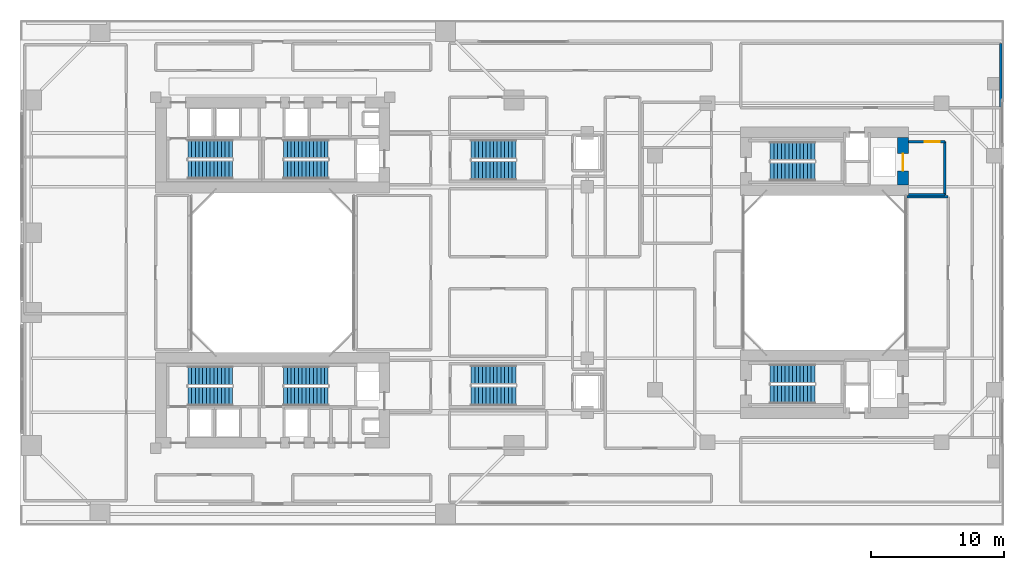
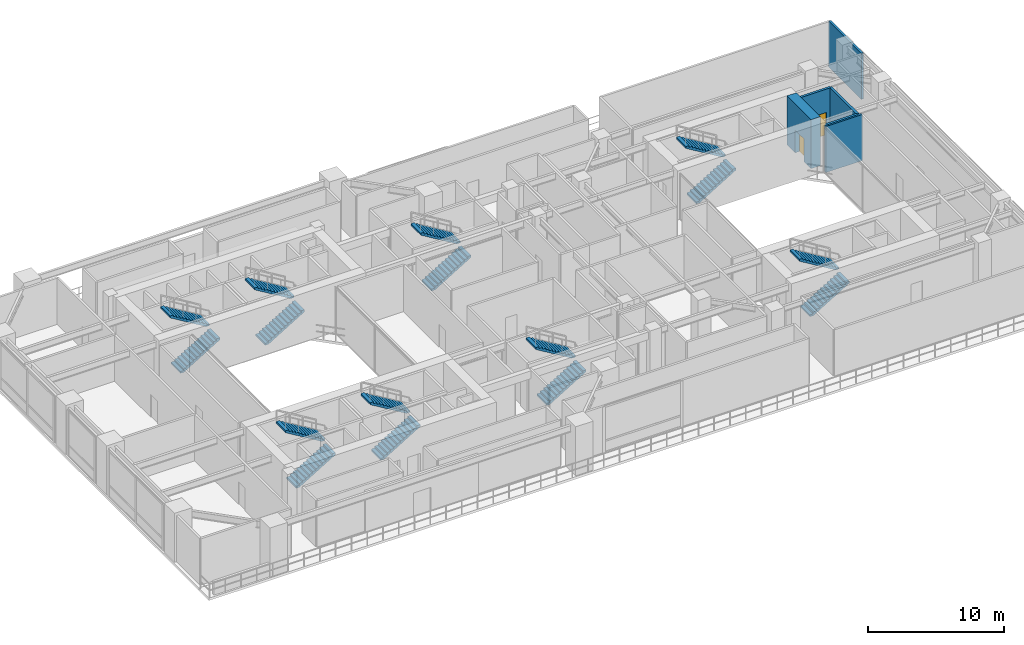
# One storey, part 16 of 20: 16 stair flights, 6 walls, 2 doors, 2 openings, 8 elements without a shape of their own.
"""IFC4 building model written with IfcOpenShell, lengths in metres."""

from ifc_helpers import new_model, si_unit, direction, frame, frame_2d, origin, place, context, subcontext, project, spatial, polyline, rectangle, outline, extrude, source, transform, mapped, material, layer, layer_set, type_object, element, fill, aggregate, save


model = new_model("IFC4")

# Units and contexts
model_context = context("Model", 3, precision=1e-05, world=origin(), true_north=direction((0.0, 1.0)))
body_context = subcontext(model_context, "Body", "Model", "MODEL_VIEW")
ifc_project = project(units=[si_unit("LENGTHUNIT", "METRE"), si_unit("AREAUNIT", "SQUARE_METRE"), si_unit("VOLUMEUNIT", "CUBIC_METRE"), si_unit("PLANEANGLEUNIT", "RADIAN"), si_unit("MASSUNIT", "GRAM", prefix="KILO"), si_unit("THERMODYNAMICTEMPERATUREUNIT", "KELVIN"), si_unit("POWERUNIT", "WATT")], contexts=[model_context])

# Site, building, storey
site_placement = place(None, origin())
site = spatial("IfcSite", under=ifc_project, at=site_placement, CompositionType="ELEMENT")
building_placement = place(site_placement, origin())
building = spatial("IfcBuilding", under=site, at=building_placement, Name="Qiaomeng Ring Towers", CompositionType="ELEMENT")
storey_placement = place(building_placement, frame((0.0, 0.0, 13.800048828125)))
storey = spatial("IfcBuildingStorey", under=building, at=storey_placement, Name="L03", CompositionType="ELEMENT", Elevation=13.800048828125)

# Walls
ifc_material_1 = material(Name="Autoclaved aerated concrete block", Category="concrete")
ifc_layer_1 = layer(ifc_material_1, 0.199951171875, Name="Autoclaved aerated concrete block")
ifc_layer_set_1 = layer_set([ifc_layer_1], Name="Autoclaved aerated concrete block")
wall_type_1 = type_object("IfcWallType", Name="ARC-WL-PW1", PredefinedType="PARTITIONING", material=ifc_layer_set_1)
wall_1_placement = place(storey_placement, frame((66.800048828125, 28.85009765625, 0.0), z_axis=(0.0, 0.0, 1.0), x_axis=(1.0, 0.0, 0.0)))
element("IfcWall", 1, at=wall_1_placement, inside=storey, type_object=wall_type_1, Name="L03 Interior Wall PW1", PredefinedType="PARTITIONING", context=body_context, shape_type="SweptSolid", body=[
    extrude(rectangle(XDim=2.75, YDim=0.199951171875, at=frame_2d((1.375, 0.0))), origin(), (0.0, 0.0, 1.0), 4.14990234375),
])
wall_2_placement = place(storey_placement, frame((69.550048828125, 28.85009765625, 0.0), z_axis=(0.0, 0.0, 1.0), x_axis=(0.0, 1.0, 0.0)))
element("IfcWall", 2, at=wall_2_placement, inside=storey, type_object=wall_type_1, Name="L03 Interior Wall PW1", PredefinedType="PARTITIONING", context=body_context, shape_type="SweptSolid", body=[
    extrude(rectangle(XDim=4.0, YDim=0.199951171875, at=frame_2d((2.0, 0.0))), origin(), (0.0, 0.0, 1.0), 4.14990234375),
])

# Wall, opening, door
wall_3_placement = place(storey_placement, frame((66.800048828125, 32.85009765625, 0.0), z_axis=(0.0, 0.0, 1.0), x_axis=(1.0, 0.0, 0.0)))
wall_3 = element("IfcWall", 3, at=wall_3_placement, inside=storey, type_object=wall_type_1, Name="L03 Interior Wall PW1", PredefinedType="PARTITIONING", context=body_context, shape_type="SweptSolid", body=[
    extrude(rectangle(XDim=2.75, YDim=0.199951171875, at=frame_2d((1.375, 0.0))), origin(), (0.0, 0.0, 1.0), 4.14990234375),
])
opening_1_placement = place(wall_3_placement, frame((1.25, 0.0, 0.0)))
opening_1 = element("IfcOpeningElement", 4, at=opening_1_placement, cuts=wall_3, Name="Opening FD3", PredefinedType="OPENING", context=body_context, shape_type="SweptSolid", body=[
    extrude(rectangle(XDim=1.10009765625, YDim=2.050048828125, at=frame_2d((0.550048828125, 1.02490234375))), frame((0.0, 0.10986328125, 0.0), z_axis=(0.0, -1.0, 0.0), x_axis=(1.0, 0.0, 0.0)), (0.0, 0.0, 1.0), 0.219970703125),
])
ifc_material_2 = material(Name="Galvanised steel", Category="steel")
door_type_1 = type_object("IfcDoorType", Name="ARC-DR-FD3", OperationType="NOTDEFINED", PredefinedType="DOOR", material=ifc_material_2)
shared_shape_1 = source(origin(), body_context, "Body", "SweptSolid", [
    extrude(rectangle(XDim=1.10009765625, YDim=2.050048828125, at=frame_2d((0.550048828125, 1.02490234375))), frame((0.0, 0.02490234375, 0.0), z_axis=(0.0, -1.0, 0.0), x_axis=(1.0, 0.0, 0.0)), (0.0, 0.0, 1.0), 0.050048828125),
])
door_1_placement = place(opening_1_placement, origin())
door_1 = element("IfcDoor", 5, at=door_1_placement, inside=storey, type_object=door_type_1, Name="L03 Door FD3", OperationType="SINGLE_SWING_RIGHT", OverallHeight=2.050048828125, OverallWidth=1.10009765625, PredefinedType="DOOR", context=body_context, shape_type="MappedRepresentation", body=[
    mapped(shared_shape_1, transform((0.0, 0.0, 0.0), x_axis=(1.0, 0.0, 0.0), y_axis=(0.0, 1.0, 0.0), z_axis=(0.0, 0.0, 1.0), scale=1.0)),
])
fill(opening_1, door_1)

# Walls
ifc_layer_2 = layer(ifc_material_1, 0.179931640625, Name="Autoclaved aerated concrete block")
ifc_layer_set_2 = layer_set([ifc_layer_2], Name="Autoclaved aerated concrete block")
wall_type_2 = type_object("IfcWallType", Name="ARC-WL-PW2", PredefinedType="PARTITIONING", material=ifc_layer_set_2)
wall_4_placement = place(storey_placement, frame((66.699951171875, 28.699951171875, 0.0), z_axis=(0.0, 0.0, 1.0), x_axis=(1.0, 0.0, 0.0)))
element("IfcWall", 6, at=wall_4_placement, inside=storey, type_object=wall_type_2, Name="L03 Interior Wall PW2", PredefinedType="PARTITIONING", context=body_context, shape_type="SweptSolid", body=[
    extrude(rectangle(XDim=3.10009765625, YDim=0.179931640625, at=frame_2d((1.550048828125, 0.0))), origin(), (0.0, 0.0, 1.0), 4.14990234375),
])
wall_5_placement = place(storey_placement, frame((73.75, 35.449951171875, 0.0), z_axis=(0.0, 0.0, 1.0), x_axis=(0.0, 1.0, 0.0)))
element("IfcWall", 7, at=wall_5_placement, inside=storey, type_object=wall_type_2, Name="L03 Interior Wall PW2", PredefinedType="PARTITIONING", context=body_context, shape_type="SweptSolid", body=[
    extrude(rectangle(XDim=4.800048828125, YDim=0.179931640625, at=frame_2d((2.39990234375, 0.0))), origin(), (0.0, 0.0, 1.0), 4.14990234375),
])

# Wall, opening, door
ifc_material_3 = material(Name="Concrete C60", Category="concrete")
ifc_layer_3 = layer(ifc_material_3, 0.800048828125, Name="Concrete C60")
ifc_layer_set_3 = layer_set([ifc_layer_3], Name="Concrete C60")
wall_type_3 = type_object("IfcWallType", Name="STR-WL-SW1", PredefinedType="SHEAR", material=ifc_layer_set_3)
wall_6_placement = place(storey_placement, frame((66.39990234375, 29.60009765625, 0.0), z_axis=(0.0, 0.0, 1.0), x_axis=(0.0, 1.0, 0.0)))
wall_6 = element("IfcWall", 8, at=wall_6_placement, inside=storey, type_object=wall_type_3, Name="L03 T2NC east core shear wall", PredefinedType="SHEAR", context=body_context, shape_type="SweptSolid", body=[
    extrude(rectangle(XDim=3.5498046875, YDim=0.800048828125, at=frame_2d((1.77490234375, 0.0))), origin(), (0.0, 0.0, 1.0), 4.39990234375),
])
opening_2_placement = place(wall_6_placement, frame((1.050048828125, 0.0, 0.0)))
opening_2 = element("IfcOpeningElement", 9, at=opening_2_placement, cuts=wall_6, Name="Opening LD2", PredefinedType="OPENING", context=body_context, shape_type="SweptSolid", body=[
    extrude(rectangle(XDim=1.300048828125, YDim=2.050048828125, at=frame_2d((0.64990234375, 1.02490234375))), frame((0.0, 0.409912109375, 0.0), z_axis=(0.0, -1.0, 0.0), x_axis=(1.0, 0.0, 0.0)), (0.0, 0.0, 1.0), 0.820068359375),
])
ifc_material_4 = material(Name="Stainless steel 316", Category="steel")
door_type_2 = type_object("IfcDoorType", Name="ARC-DR-LD2", OperationType="NOTDEFINED", PredefinedType="DOOR", material=ifc_material_4)
shared_shape_2 = source(origin(), body_context, "Body", "SweptSolid", [
    extrude(rectangle(XDim=1.300048828125, YDim=2.050048828125, at=frame_2d((0.64990234375, 1.02490234375))), frame((0.0, 0.02490234375, 0.0), z_axis=(0.0, -1.0, 0.0), x_axis=(1.0, 0.0, 0.0)), (0.0, 0.0, 1.0), 0.050048828125),
])
door_2_placement = place(opening_2_placement, origin())
door_2 = element("IfcDoor", 10, at=door_2_placement, inside=storey, type_object=door_type_2, Name="L03 Firefighting Lift FL3 Landing Door", OperationType="SLIDING_TO_LEFT", OverallHeight=2.050048828125, OverallWidth=1.300048828125, PredefinedType="DOOR", context=body_context, shape_type="MappedRepresentation", body=[
    mapped(shared_shape_2, transform((0.0, 0.0, 0.0), x_axis=(1.0, 0.0, 0.0), y_axis=(0.0, 1.0, 0.0), z_axis=(0.0, 0.0, 1.0), scale=1.0)),
])
fill(opening_2, door_2)

# Stair, stair flights
ifc_material_5 = material(Name="Precast concrete C40", Category="concrete")
stair_type_1 = type_object("IfcStairType", Name="ARC-ST-440", PredefinedType="HALF_TURN_STAIR", material=ifc_material_5)
stair_1_placement = place(storey_placement, origin())
stair_1 = element("IfcStair", 11, at=stair_1_placement, inside=storey, type_object=stair_type_1, Name="L03 Tower 1 North Stair 1", PredefinedType="HALF_TURN_STAIR")
stair_flight_type_1 = type_object("IfcStairFlightType", Name="ARC-ST-440-FL", PredefinedType="STRAIGHT", material=ifc_material_5)
shared_shape_3 = source(origin(), body_context, "Body", "SweptSolid", [
    extrude(outline(polyline([(0.0, 0.0), (0.0, 0.169189453125), (0.280029296875, 0.169189453125), (0.280029296875, 0.33837890625), (0.56005859375, 0.33837890625), (0.56005859375, 0.5078125), (0.840087890625, 0.5078125), (0.840087890625, 0.677001953125), (1.1201171875, 0.677001953125), (1.1201171875, 0.84619140625), (1.39990234375, 0.84619140625), (1.39990234375, 1.015380859375), (1.679931640625, 1.015380859375), (1.679931640625, 1.1845703125), (1.9599609375, 1.1845703125), (1.9599609375, 1.353759765625), (2.239990234375, 1.353759765625), (2.239990234375, 1.523193359375), (2.52001953125, 1.523193359375), (2.52001953125, 1.6923828125), (2.800048828125, 1.6923828125), (2.800048828125, 1.861572265625), (3.080078125, 1.861572265625), (3.080078125, 2.03076171875), (3.360107421875, 2.03076171875), (3.360107421875, 2.199951171875), (3.360107421875, 1.855712890625), (0.289794921875, 0.0), (0.0, 0.0)])), frame((0.0, 0.699951171875, 0.0), z_axis=(0.0, -1.0, 0.0), x_axis=(1.0, 0.0, 0.0)), (0.0, 0.0, 1.0), 1.39990234375),
])
stair_flight_1_placement = place(storey_placement, frame((12.6201171875, 30.75, 0.0), z_axis=(0.0, 0.0, 1.0), x_axis=(1.0, 0.0, 0.0)))
stair_flight_1 = element("IfcStairFlight", 12, at=stair_flight_1_placement, type_object=stair_flight_type_1, Name="ST1 flight 1", NumberOfRisers=13, NumberOfTreads=12, PredefinedType="STRAIGHT", RiserHeight=0.169230769, TreadLength=0.28, context=body_context, shape_type="MappedRepresentation", body=[
    mapped(shared_shape_3, transform((0.0, 0.0, 0.0), x_axis=(1.0, 0.0, 0.0), y_axis=(0.0, 1.0, 0.0), z_axis=(0.0, 0.0, 1.0), scale=1.0)),
])
stair_flight_2_placement = place(storey_placement, frame((15.97998046875, 32.2900390625, 2.199951171875), z_axis=(0.0, 0.0, 1.0), x_axis=(-1.0, 0.0, 0.0)))
stair_flight_2 = element("IfcStairFlight", 13, at=stair_flight_2_placement, type_object=stair_flight_type_1, Name="ST1 flight 2", NumberOfRisers=13, NumberOfTreads=12, PredefinedType="STRAIGHT", RiserHeight=0.169230769, TreadLength=0.28, context=body_context, shape_type="MappedRepresentation", body=[
    mapped(shared_shape_3, transform((0.0, 0.0, 0.0), x_axis=(1.0, 0.0, 0.0), y_axis=(0.0, 1.0, 0.0), z_axis=(0.0, 0.0, 1.0), scale=1.0)),
])
aggregate(stair_1, [stair_flight_1, stair_flight_2])

stair_2_placement = place(storey_placement, origin())
stair_2 = element("IfcStair", 14, at=stair_2_placement, inside=storey, type_object=stair_type_1, Name="L03 Tower 1 North Stair 2", PredefinedType="HALF_TURN_STAIR")
stair_flight_3_placement = place(storey_placement, frame((19.820068359375, 30.75, 0.0), z_axis=(0.0, 0.0, 1.0), x_axis=(1.0, 0.0, 0.0)))
stair_flight_3 = element("IfcStairFlight", 15, at=stair_flight_3_placement, type_object=stair_flight_type_1, Name="ST2 flight 1", NumberOfRisers=13, NumberOfTreads=12, PredefinedType="STRAIGHT", RiserHeight=0.169230769, TreadLength=0.28, context=body_context, shape_type="MappedRepresentation", body=[
    mapped(shared_shape_3, transform((0.0, 0.0, 0.0), x_axis=(1.0, 0.0, 0.0), y_axis=(0.0, 1.0, 0.0), z_axis=(0.0, 0.0, 1.0), scale=1.0)),
])
stair_flight_4_placement = place(storey_placement, frame((23.179931640625, 32.2900390625, 2.199951171875), z_axis=(0.0, 0.0, 1.0), x_axis=(-1.0, 0.0, 0.0)))
stair_flight_4 = element("IfcStairFlight", 16, at=stair_flight_4_placement, type_object=stair_flight_type_1, Name="ST2 flight 2", NumberOfRisers=13, NumberOfTreads=12, PredefinedType="STRAIGHT", RiserHeight=0.169230769, TreadLength=0.28, context=body_context, shape_type="MappedRepresentation", body=[
    mapped(shared_shape_3, transform((0.0, 0.0, 0.0), x_axis=(1.0, 0.0, 0.0), y_axis=(0.0, 1.0, 0.0), z_axis=(0.0, 0.0, 1.0), scale=1.0)),
])
aggregate(stair_2, [stair_flight_3, stair_flight_4])

stair_3_placement = place(storey_placement, origin())
stair_3 = element("IfcStair", 17, at=stair_3_placement, inside=storey, type_object=stair_type_1, Name="L03 Tower 1 South Stair 3", PredefinedType="HALF_TURN_STAIR")
stair_flight_5_placement = place(storey_placement, frame((12.6201171875, 13.7099609375, 0.0), z_axis=(0.0, 0.0, 1.0), x_axis=(1.0, 0.0, 0.0)))
stair_flight_5 = element("IfcStairFlight", 18, at=stair_flight_5_placement, type_object=stair_flight_type_1, Name="ST3 flight 1", NumberOfRisers=13, NumberOfTreads=12, PredefinedType="STRAIGHT", RiserHeight=0.169230769, TreadLength=0.28, context=body_context, shape_type="MappedRepresentation", body=[
    mapped(shared_shape_3, transform((0.0, 0.0, 0.0), x_axis=(1.0, 0.0, 0.0), y_axis=(0.0, 1.0, 0.0), z_axis=(0.0, 0.0, 1.0), scale=1.0)),
])
stair_flight_6_placement = place(storey_placement, frame((15.97998046875, 15.25, 2.199951171875), z_axis=(0.0, 0.0, 1.0), x_axis=(-1.0, 0.0, 0.0)))
stair_flight_6 = element("IfcStairFlight", 19, at=stair_flight_6_placement, type_object=stair_flight_type_1, Name="ST3 flight 2", NumberOfRisers=13, NumberOfTreads=12, PredefinedType="STRAIGHT", RiserHeight=0.169230769, TreadLength=0.28, context=body_context, shape_type="MappedRepresentation", body=[
    mapped(shared_shape_3, transform((0.0, 0.0, 0.0), x_axis=(1.0, 0.0, 0.0), y_axis=(0.0, 1.0, 0.0), z_axis=(0.0, 0.0, 1.0), scale=1.0)),
])
aggregate(stair_3, [stair_flight_5, stair_flight_6])

stair_4_placement = place(storey_placement, origin())
stair_4 = element("IfcStair", 20, at=stair_4_placement, inside=storey, type_object=stair_type_1, Name="L03 Tower 1 South Stair 4", PredefinedType="HALF_TURN_STAIR")
stair_flight_7_placement = place(storey_placement, frame((19.820068359375, 13.7099609375, 0.0), z_axis=(0.0, 0.0, 1.0), x_axis=(1.0, 0.0, 0.0)))
stair_flight_7 = element("IfcStairFlight", 21, at=stair_flight_7_placement, type_object=stair_flight_type_1, Name="ST4 flight 1", NumberOfRisers=13, NumberOfTreads=12, PredefinedType="STRAIGHT", RiserHeight=0.169230769, TreadLength=0.28, context=body_context, shape_type="MappedRepresentation", body=[
    mapped(shared_shape_3, transform((0.0, 0.0, 0.0), x_axis=(1.0, 0.0, 0.0), y_axis=(0.0, 1.0, 0.0), z_axis=(0.0, 0.0, 1.0), scale=1.0)),
])
stair_flight_8_placement = place(storey_placement, frame((23.179931640625, 15.25, 2.199951171875), z_axis=(0.0, 0.0, 1.0), x_axis=(-1.0, 0.0, 0.0)))
stair_flight_8 = element("IfcStairFlight", 22, at=stair_flight_8_placement, type_object=stair_flight_type_1, Name="ST4 flight 2", NumberOfRisers=13, NumberOfTreads=12, PredefinedType="STRAIGHT", RiserHeight=0.169230769, TreadLength=0.28, context=body_context, shape_type="MappedRepresentation", body=[
    mapped(shared_shape_3, transform((0.0, 0.0, 0.0), x_axis=(1.0, 0.0, 0.0), y_axis=(0.0, 1.0, 0.0), z_axis=(0.0, 0.0, 1.0), scale=1.0)),
])
aggregate(stair_4, [stair_flight_7, stair_flight_8])

stair_5_placement = place(storey_placement, origin())
stair_5 = element("IfcStair", 23, at=stair_5_placement, inside=storey, type_object=stair_type_1, Name="L03 Companion North Stair 5", PredefinedType="HALF_TURN_STAIR")
stair_flight_9_placement = place(storey_placement, frame((56.419921875, 30.60009765625, 0.0), z_axis=(0.0, 0.0, 1.0), x_axis=(1.0, 0.0, 0.0)))
stair_flight_9 = element("IfcStairFlight", 24, at=stair_flight_9_placement, type_object=stair_flight_type_1, Name="ST5 flight 1", NumberOfRisers=13, NumberOfTreads=12, PredefinedType="STRAIGHT", RiserHeight=0.169230769, TreadLength=0.28, context=body_context, shape_type="MappedRepresentation", body=[
    mapped(shared_shape_3, transform((0.0, 0.0, 0.0), x_axis=(1.0, 0.0, 0.0), y_axis=(0.0, 1.0, 0.0), z_axis=(0.0, 0.0, 1.0), scale=1.0)),
])
stair_flight_10_placement = place(storey_placement, frame((59.780029296875, 32.139892578125, 2.199951171875), z_axis=(0.0, 0.0, 1.0), x_axis=(-1.0, 0.0, 0.0)))
stair_flight_10 = element("IfcStairFlight", 25, at=stair_flight_10_placement, type_object=stair_flight_type_1, Name="ST5 flight 2", NumberOfRisers=13, NumberOfTreads=12, PredefinedType="STRAIGHT", RiserHeight=0.169230769, TreadLength=0.28, context=body_context, shape_type="MappedRepresentation", body=[
    mapped(shared_shape_3, transform((0.0, 0.0, 0.0), x_axis=(1.0, 0.0, 0.0), y_axis=(0.0, 1.0, 0.0), z_axis=(0.0, 0.0, 1.0), scale=1.0)),
])
aggregate(stair_5, [stair_flight_9, stair_flight_10])

stair_6_placement = place(storey_placement, origin())
stair_6 = element("IfcStair", 26, at=stair_6_placement, inside=storey, type_object=stair_type_1, Name="L03 Companion South Stair 6", PredefinedType="HALF_TURN_STAIR")
stair_flight_11_placement = place(storey_placement, frame((56.419921875, 13.860107421875, 0.0), z_axis=(0.0, 0.0, 1.0), x_axis=(1.0, 0.0, 0.0)))
stair_flight_11 = element("IfcStairFlight", 27, at=stair_flight_11_placement, type_object=stair_flight_type_1, Name="ST6 flight 1", NumberOfRisers=13, NumberOfTreads=12, PredefinedType="STRAIGHT", RiserHeight=0.169230769, TreadLength=0.28, context=body_context, shape_type="MappedRepresentation", body=[
    mapped(shared_shape_3, transform((0.0, 0.0, 0.0), x_axis=(1.0, 0.0, 0.0), y_axis=(0.0, 1.0, 0.0), z_axis=(0.0, 0.0, 1.0), scale=1.0)),
])
stair_flight_12_placement = place(storey_placement, frame((59.780029296875, 15.39990234375, 2.199951171875), z_axis=(0.0, 0.0, 1.0), x_axis=(-1.0, 0.0, 0.0)))
stair_flight_12 = element("IfcStairFlight", 28, at=stair_flight_12_placement, type_object=stair_flight_type_1, Name="ST6 flight 2", NumberOfRisers=13, NumberOfTreads=12, PredefinedType="STRAIGHT", RiserHeight=0.169230769, TreadLength=0.28, context=body_context, shape_type="MappedRepresentation", body=[
    mapped(shared_shape_3, transform((0.0, 0.0, 0.0), x_axis=(1.0, 0.0, 0.0), y_axis=(0.0, 1.0, 0.0), z_axis=(0.0, 0.0, 1.0), scale=1.0)),
])
aggregate(stair_6, [stair_flight_11, stair_flight_12])

stair_type_2 = type_object("IfcStairType", Name="ARC-ST-POD", PredefinedType="HALF_TURN_STAIR", material=ifc_material_5)
stair_7_placement = place(storey_placement, origin())
stair_7 = element("IfcStair", 29, at=stair_7_placement, inside=storey, type_object=stair_type_2, Name="L03 Podium Clinic North Stair 7", PredefinedType="HALF_TURN_STAIR")
stair_flight_type_2 = type_object("IfcStairFlightType", Name="ARC-ST-POD-FL", PredefinedType="STRAIGHT", material=ifc_material_5)
shared_shape_4 = source(origin(), body_context, "Body", "SweptSolid", [
    extrude(outline(polyline([(0.0, 0.0), (0.0, 0.169189453125), (0.280029296875, 0.169189453125), (0.280029296875, 0.33837890625), (0.56005859375, 0.33837890625), (0.56005859375, 0.5078125), (0.840087890625, 0.5078125), (0.840087890625, 0.677001953125), (1.1201171875, 0.677001953125), (1.1201171875, 0.84619140625), (1.39990234375, 0.84619140625), (1.39990234375, 1.015380859375), (1.679931640625, 1.015380859375), (1.679931640625, 1.1845703125), (1.9599609375, 1.1845703125), (1.9599609375, 1.353759765625), (2.239990234375, 1.353759765625), (2.239990234375, 1.523193359375), (2.52001953125, 1.523193359375), (2.52001953125, 1.6923828125), (2.800048828125, 1.6923828125), (2.800048828125, 1.861572265625), (3.080078125, 1.861572265625), (3.080078125, 2.03076171875), (3.360107421875, 2.03076171875), (3.360107421875, 2.199951171875), (3.360107421875, 1.855712890625), (0.289794921875, 0.0), (0.0, 0.0)])), frame((0.0, 0.72509765625, 0.0), z_axis=(0.0, -1.0, 0.0), x_axis=(1.0, 0.0, 0.0)), (0.0, 0.0, 1.0), 1.449951171875),
])
stair_flight_13_placement = place(storey_placement, frame((33.929931640625, 30.68505859375, 0.0), z_axis=(0.0, 0.0, 1.0), x_axis=(1.0, 0.0, 0.0)))
stair_flight_13 = element("IfcStairFlight", 30, at=stair_flight_13_placement, type_object=stair_flight_type_2, Name="ST7 flight 1", NumberOfRisers=13, NumberOfTreads=12, PredefinedType="STRAIGHT", RiserHeight=0.169230769, TreadLength=0.28, context=body_context, shape_type="MappedRepresentation", body=[
    mapped(shared_shape_4, transform((0.0, 0.0, 0.0), x_axis=(1.0, 0.0, 0.0), y_axis=(0.0, 1.0, 0.0), z_axis=(0.0, 0.0, 1.0), scale=1.0)),
])
stair_flight_14_placement = place(storey_placement, frame((37.2900390625, 32.27490234375, 2.199951171875), z_axis=(0.0, 0.0, 1.0), x_axis=(-1.0, 0.0, 0.0)))
stair_flight_14 = element("IfcStairFlight", 31, at=stair_flight_14_placement, type_object=stair_flight_type_2, Name="ST7 flight 2", NumberOfRisers=13, NumberOfTreads=12, PredefinedType="STRAIGHT", RiserHeight=0.169230769, TreadLength=0.28, context=body_context, shape_type="MappedRepresentation", body=[
    mapped(shared_shape_4, transform((0.0, 0.0, 0.0), x_axis=(1.0, 0.0, 0.0), y_axis=(0.0, 1.0, 0.0), z_axis=(0.0, 0.0, 1.0), scale=1.0)),
])
aggregate(stair_7, [stair_flight_13, stair_flight_14])

stair_8_placement = place(storey_placement, origin())
stair_8 = element("IfcStair", 32, at=stair_8_placement, inside=storey, type_object=stair_type_2, Name="L03 Podium Clinic South Stair 8", PredefinedType="HALF_TURN_STAIR")
stair_flight_15_placement = place(storey_placement, frame((33.929931640625, 13.72509765625, 0.0), z_axis=(0.0, 0.0, 1.0), x_axis=(1.0, 0.0, 0.0)))
stair_flight_15 = element("IfcStairFlight", 33, at=stair_flight_15_placement, type_object=stair_flight_type_2, Name="ST8 flight 1", NumberOfRisers=13, NumberOfTreads=12, PredefinedType="STRAIGHT", RiserHeight=0.169230769, TreadLength=0.28, context=body_context, shape_type="MappedRepresentation", body=[
    mapped(shared_shape_4, transform((0.0, 0.0, 0.0), x_axis=(1.0, 0.0, 0.0), y_axis=(0.0, 1.0, 0.0), z_axis=(0.0, 0.0, 1.0), scale=1.0)),
])
stair_flight_16_placement = place(storey_placement, frame((37.2900390625, 15.31494140625, 2.199951171875), z_axis=(0.0, 0.0, 1.0), x_axis=(-1.0, 0.0, 0.0)))
stair_flight_16 = element("IfcStairFlight", 34, at=stair_flight_16_placement, type_object=stair_flight_type_2, Name="ST8 flight 2", NumberOfRisers=13, NumberOfTreads=12, PredefinedType="STRAIGHT", RiserHeight=0.169230769, TreadLength=0.28, context=body_context, shape_type="MappedRepresentation", body=[
    mapped(shared_shape_4, transform((0.0, 0.0, 0.0), x_axis=(1.0, 0.0, 0.0), y_axis=(0.0, 1.0, 0.0), z_axis=(0.0, 0.0, 1.0), scale=1.0)),
])
aggregate(stair_8, [stair_flight_15, stair_flight_16])

save(model, "model.ifc")
